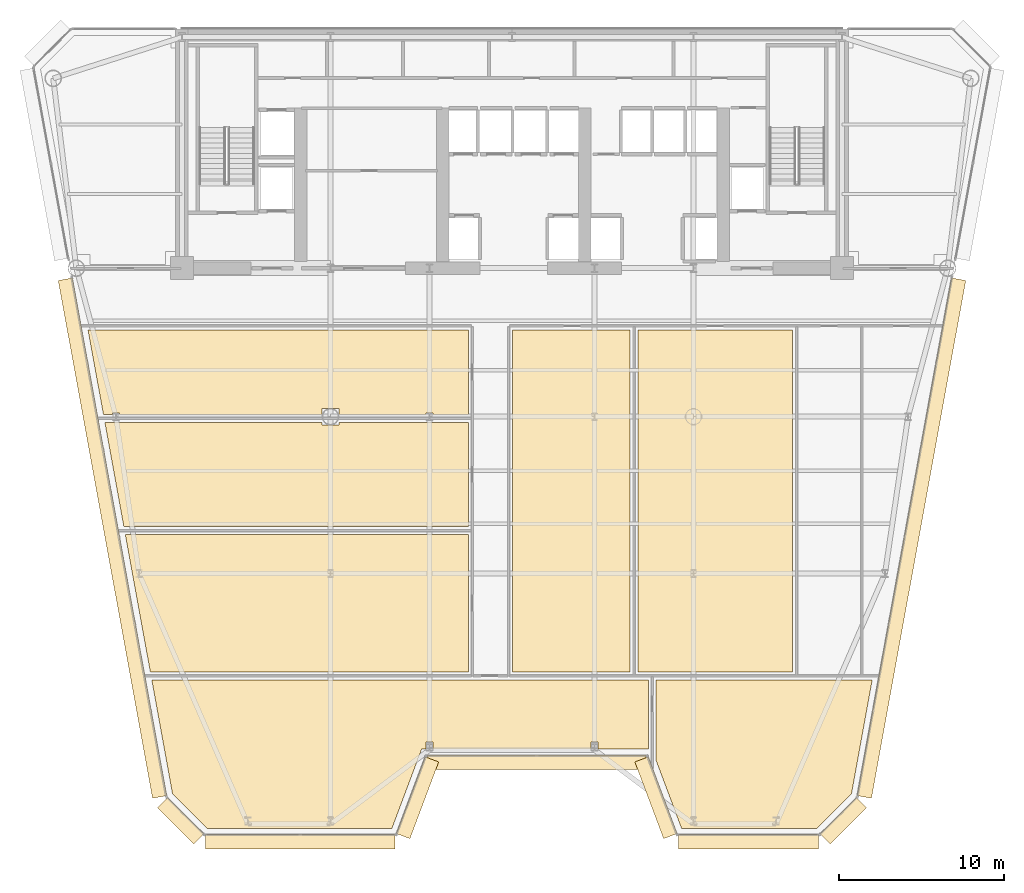
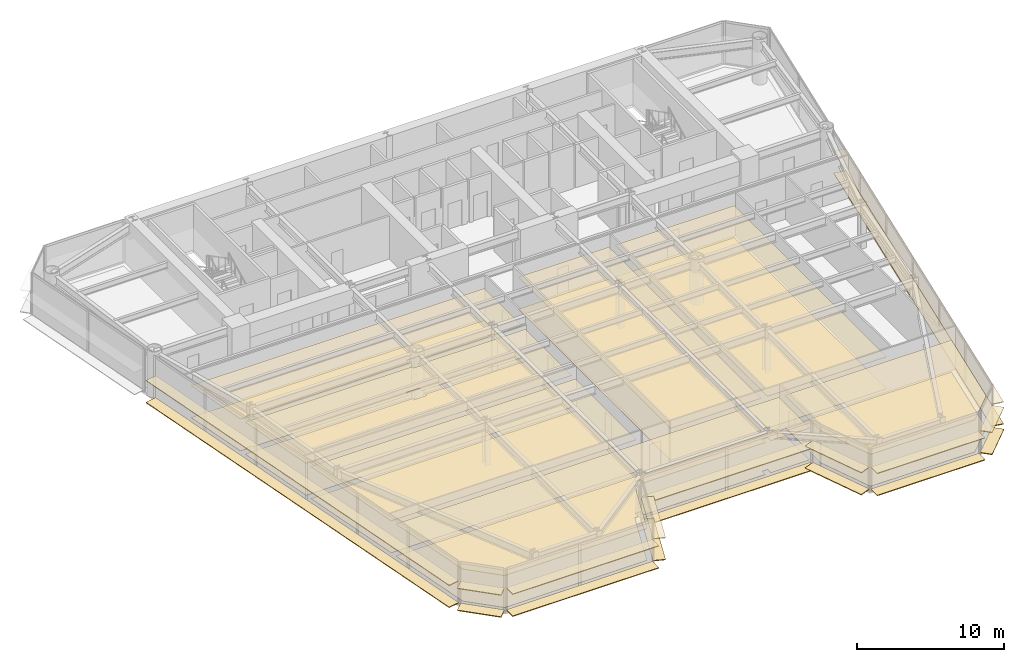
# One storey, part 11 of 14: 32 coverings.
"""IFC4 building model written with IfcOpenShell, lengths in metres."""

from ifc_helpers import new_model, si_unit, direction, frame, origin, origin_2d, place, context, subcontext, project, spatial, polyline, rectangle, outline, extrude, source, transform, mapped, material, layer, layer_set, type_object, element, save


model = new_model("IFC4")

# Units and contexts
model_context = context("Model", 3, precision=1e-05, world=origin(), true_north=direction((0.0, 1.0)))
body_context = subcontext(model_context, "Body", "Model", "MODEL_VIEW")
ifc_project = project(units=[si_unit("LENGTHUNIT", "METRE"), si_unit("AREAUNIT", "SQUARE_METRE"), si_unit("VOLUMEUNIT", "CUBIC_METRE"), si_unit("PLANEANGLEUNIT", "RADIAN"), si_unit("MASSUNIT", "GRAM", prefix="KILO")], contexts=[model_context])

# Site, building, storey
site_placement = place(None, origin())
site = spatial("IfcSite", under=ifc_project, at=site_placement, CompositionType="ELEMENT")
building_placement = place(site_placement, origin())
building = spatial("IfcBuilding", under=site, at=building_placement, Name="Vaeldorn Concourse Tower", CompositionType="ELEMENT")
storey_placement = place(building_placement, frame((0.0, 0.0, 111.0)))
storey = spatial("IfcBuildingStorey", under=building, at=storey_placement, Name="L28", CompositionType="ELEMENT", Elevation=111.0)

# Coverings
ifc_material_1 = material(Name="Acoustic Mineral Fibre Board", Category="gypsum")
ifc_layer_1 = layer(ifc_material_1, 0.0400390625)
ifc_layer_set_1 = layer_set([ifc_layer_1], Name="Acoustic Mineral Fibre Board")
covering_type_1 = type_object("IfcCoveringType", Name="COV-CEIL-ACOUSTIC", PredefinedType="CEILING", material=ifc_layer_set_1)
covering_1_placement = place(storey_placement, frame((0.0, 0.0, 2.64990234375)))
element("IfcCovering", 1, at=covering_1_placement, inside=storey, type_object=covering_type_1, Name="Suspended Acoustic Ceiling L28-6", PredefinedType="CEILING", context=body_context, shape_type="SweptSolid", body=[
    extrude(outline(polyline([(42.260009765625, 11.56005859375), (42.260009765625, 7.351806640625), (39.2119140625, 7.351806640625), (39.2119140625, 7.788818359375), (38.7880859375, 7.788818359375), (38.7880859375, 7.351806640625), (29.2119140625, 7.351806640625), (29.2119140625, 7.788818359375), (28.7880859375, 7.788818359375), (28.7880859375, 7.351806640625), (28.522705078125, 7.351806640625), (26.722900390625, 2.5517578125), (15.525634765625, 2.5517578125), (13.43115234375, 4.646240234375), (12.171630859375, 11.56005859375), (42.260009765625, 11.56005859375)])), origin(), (0.0, 0.0, 1.0), 0.0400390625),
])
covering_2_placement = place(storey_placement, frame((0.0, 0.0, 2.64990234375)))
element("IfcCovering", 2, at=covering_2_placement, inside=storey, type_object=covering_type_1, Name="Suspended Acoustic Ceiling L28-7", PredefinedType="CEILING", context=body_context, shape_type="SweptSolid", body=[
    extrude(outline(polyline([(52.474365234375, 2.5517578125), (44.277099609375, 2.5517578125), (42.739990234375, 6.65087890625), (42.739990234375, 11.56005859375), (55.828369140625, 11.56005859375), (54.56884765625, 4.646240234375), (52.474365234375, 2.5517578125)])), origin(), (0.0, 0.0, 1.0), 0.0400390625),
])
covering_3_placement = place(storey_placement, frame((0.0, 0.0, 2.64990234375)))
element("IfcCovering", 3, at=covering_3_placement, inside=storey, type_object=covering_type_1, Name="Suspended Acoustic Ceiling L28-8", PredefinedType="CEILING", context=body_context, shape_type="SweptSolid", body=[
    extrude(outline(polyline([(31.360107421875, 20.360107421875), (31.360107421875, 12.0400390625), (12.08447265625, 12.0400390625), (10.56884765625, 20.360107421875), (31.360107421875, 20.360107421875)])), origin(), (0.0, 0.0, 1.0), 0.0400390625),
])
covering_4_placement = place(storey_placement, frame((0.0, 0.0, 2.64990234375)))
element("IfcCovering", 4, at=covering_4_placement, inside=storey, type_object=covering_type_1, Name="Suspended Acoustic Ceiling L28-9", PredefinedType="CEILING", context=body_context, shape_type="SweptSolid", body=[
    extrude(outline(polyline([(22.491943359375, 27.159912109375), (22.491943359375, 26.991943359375), (23.508056640625, 26.991943359375), (23.508056640625, 27.159912109375), (31.360107421875, 27.159912109375), (31.360107421875, 20.840087890625), (10.4814453125, 20.840087890625), (9.330078125, 27.159912109375), (22.491943359375, 27.159912109375)])), origin(), (0.0, 0.0, 1.0), 0.0400390625),
])
covering_5_placement = place(storey_placement, frame((0.0, 0.0, 2.64990234375)))
element("IfcCovering", 5, at=covering_5_placement, inside=storey, type_object=covering_type_1, Name="Suspended Acoustic Ceiling L28-10", PredefinedType="CEILING", context=body_context, shape_type="SweptSolid", body=[
    extrude(outline(polyline([(31.360107421875, 32.760009765625), (31.360107421875, 27.639892578125), (29.2119140625, 27.639892578125), (29.2119140625, 27.737060546875), (28.7880859375, 27.737060546875), (28.7880859375, 27.639892578125), (23.508056640625, 27.639892578125), (23.508056640625, 28.008056640625), (22.491943359375, 28.008056640625), (22.491943359375, 27.639892578125), (10.2119140625, 27.639892578125), (10.2119140625, 27.737060546875), (9.7880859375, 27.737060546875), (9.7880859375, 27.639892578125), (9.242919921875, 27.639892578125), (8.31005859375, 32.760009765625), (31.360107421875, 32.760009765625)])), origin(), (0.0, 0.0, 1.0), 0.0400390625),
])
covering_6_placement = place(storey_placement, frame((0.0, 0.0, 2.64990234375)))
element("IfcCovering", 6, at=covering_6_placement, inside=storey, type_object=covering_type_1, Name="Suspended Acoustic Ceiling L28-11", PredefinedType="CEILING", context=body_context, shape_type="SweptSolid", body=[
    extrude(outline(polyline([(34.0400390625, 32.760009765625), (41.159912109375, 32.760009765625), (41.159912109375, 12.0400390625), (34.0400390625, 12.0400390625), (34.0400390625, 32.760009765625)])), origin(), (0.0, 0.0, 1.0), 0.0400390625),
])
covering_7_placement = place(storey_placement, frame((0.0, 0.0, 2.64990234375)))
element("IfcCovering", 7, at=covering_7_placement, inside=storey, type_object=covering_type_1, Name="Suspended Acoustic Ceiling L28-12", PredefinedType="CEILING", context=body_context, shape_type="SweptSolid", body=[
    extrude(outline(polyline([(41.639892578125, 32.760009765625), (51.010009765625, 32.760009765625), (51.010009765625, 12.0400390625), (41.639892578125, 12.0400390625), (41.639892578125, 32.760009765625)])), origin(), (0.0, 0.0, 1.0), 0.0400390625),
])
ifc_material_2 = material(Name="Honed Limestone Terrazzo Flooring", Category="masonry")
ifc_layer_2 = layer(ifc_material_2, 0.0400390625)
ifc_layer_set_2 = layer_set([ifc_layer_2], Name="Honed Limestone Terrazzo Flooring")
covering_type_2 = type_object("IfcCoveringType", Name="COV-FLOOR-STONE", PredefinedType="FLOORING", material=ifc_layer_set_2)
covering_8_placement = place(storey_placement, origin())
element("IfcCovering", 8, at=covering_8_placement, inside=storey, type_object=covering_type_2, Name="Floor Finish Covering L28-6", PredefinedType="FLOORING", context=body_context, shape_type="SweptSolid", body=[
    extrude(outline(polyline([(42.260009765625, 11.56005859375), (42.260009765625, 7.351806640625), (39.2119140625, 7.351806640625), (39.2119140625, 7.788818359375), (38.7880859375, 7.788818359375), (38.7880859375, 7.351806640625), (29.2119140625, 7.351806640625), (29.2119140625, 7.788818359375), (28.7880859375, 7.788818359375), (28.7880859375, 7.351806640625), (28.522705078125, 7.351806640625), (26.722900390625, 2.5517578125), (15.525634765625, 2.5517578125), (13.43115234375, 4.646240234375), (12.171630859375, 11.56005859375), (42.260009765625, 11.56005859375)])), origin(), (0.0, 0.0, 1.0), 0.030029296875),
])
covering_9_placement = place(storey_placement, origin())
element("IfcCovering", 9, at=covering_9_placement, inside=storey, type_object=covering_type_2, Name="Floor Finish Covering L28-7", PredefinedType="FLOORING", context=body_context, shape_type="SweptSolid", body=[
    extrude(outline(polyline([(52.474365234375, 2.5517578125), (44.277099609375, 2.5517578125), (42.739990234375, 6.65087890625), (42.739990234375, 11.56005859375), (55.828369140625, 11.56005859375), (54.56884765625, 4.646240234375), (52.474365234375, 2.5517578125)])), origin(), (0.0, 0.0, 1.0), 0.030029296875),
])
covering_10_placement = place(storey_placement, origin())
element("IfcCovering", 10, at=covering_10_placement, inside=storey, type_object=covering_type_2, Name="Floor Finish Covering L28-8", PredefinedType="FLOORING", context=body_context, shape_type="SweptSolid", body=[
    extrude(outline(polyline([(31.360107421875, 20.360107421875), (31.360107421875, 12.0400390625), (12.08447265625, 12.0400390625), (10.56884765625, 20.360107421875), (31.360107421875, 20.360107421875)])), origin(), (0.0, 0.0, 1.0), 0.030029296875),
])
covering_11_placement = place(storey_placement, origin())
element("IfcCovering", 11, at=covering_11_placement, inside=storey, type_object=covering_type_2, Name="Floor Finish Covering L28-9", PredefinedType="FLOORING", context=body_context, shape_type="SweptSolid", body=[
    extrude(outline(polyline([(22.491943359375, 27.159912109375), (22.491943359375, 26.991943359375), (23.508056640625, 26.991943359375), (23.508056640625, 27.159912109375), (31.360107421875, 27.159912109375), (31.360107421875, 20.840087890625), (10.4814453125, 20.840087890625), (9.330078125, 27.159912109375), (22.491943359375, 27.159912109375)])), origin(), (0.0, 0.0, 1.0), 0.030029296875),
])
covering_12_placement = place(storey_placement, origin())
element("IfcCovering", 12, at=covering_12_placement, inside=storey, type_object=covering_type_2, Name="Floor Finish Covering L28-10", PredefinedType="FLOORING", context=body_context, shape_type="SweptSolid", body=[
    extrude(outline(polyline([(31.360107421875, 32.760009765625), (31.360107421875, 27.639892578125), (29.2119140625, 27.639892578125), (29.2119140625, 27.737060546875), (28.7880859375, 27.737060546875), (28.7880859375, 27.639892578125), (23.508056640625, 27.639892578125), (23.508056640625, 28.008056640625), (22.491943359375, 28.008056640625), (22.491943359375, 27.639892578125), (10.2119140625, 27.639892578125), (10.2119140625, 27.737060546875), (9.7880859375, 27.737060546875), (9.7880859375, 27.639892578125), (9.242919921875, 27.639892578125), (8.31005859375, 32.760009765625), (31.360107421875, 32.760009765625)])), origin(), (0.0, 0.0, 1.0), 0.030029296875),
])
covering_13_placement = place(storey_placement, origin())
element("IfcCovering", 13, at=covering_13_placement, inside=storey, type_object=covering_type_2, Name="Floor Finish Covering L28-11", PredefinedType="FLOORING", context=body_context, shape_type="SweptSolid", body=[
    extrude(outline(polyline([(34.0400390625, 32.760009765625), (41.159912109375, 32.760009765625), (41.159912109375, 12.0400390625), (34.0400390625, 12.0400390625), (34.0400390625, 32.760009765625)])), origin(), (0.0, 0.0, 1.0), 0.030029296875),
])
covering_14_placement = place(storey_placement, origin())
element("IfcCovering", 14, at=covering_14_placement, inside=storey, type_object=covering_type_2, Name="Floor Finish Covering L28-12", PredefinedType="FLOORING", context=body_context, shape_type="SweptSolid", body=[
    extrude(outline(polyline([(41.639892578125, 32.760009765625), (51.010009765625, 32.760009765625), (51.010009765625, 12.0400390625), (41.639892578125, 12.0400390625), (41.639892578125, 32.760009765625)])), origin(), (0.0, 0.0, 1.0), 0.030029296875),
])
ifc_material_3 = material(Name="Anodised Bronze Aluminium", Category="aluminium")
ifc_layer_3 = layer(ifc_material_3, 0.06494140625)
ifc_layer_set_3 = layer_set([ifc_layer_3], Name="Anodised Bronze Aluminium")
covering_type_3 = type_object("IfcCoveringType", Name="SD-BRONZE-SUNSHADE", PredefinedType="USERDEFINED", material=ifc_layer_set_3)
shared_shape_1 = source(origin(), body_context, "Body", "SweptSolid", [
    extrude(rectangle(XDim=4.96630859375, YDim=0.8798828125, at=origin_2d()), origin(), (0.0, 0.0, 1.0), 0.06494140625),
])
for number, where, z_axis, x_axis, name in (
    (15, (28.2744140625, 4.411376953125, 0.047607421875), (0.0, 0.0, 1.0), (0.351122702609, 0.936329454686, 0.0), "Horizontal Bronze Sunshade L28-E02.1.1"),
    (16, (28.2744140625, 4.411376953125, 1.867431640625), (0.0, 0.0, 1.0), (0.351122702609, 0.936329454686, 0.0), "Horizontal Bronze Sunshade L28-E02.1.2"),
    (17, (42.7255859375, 4.411376953125, 0.047607421875), (0.0, 0.0, 1.0), (0.351122702609, -0.936329454686, 0.0), "Horizontal Bronze Sunshade L28-E04.1.1"),
    (18, (42.7255859375, 4.411376953125, 1.867431640625), (0.0, 0.0, 1.0), (0.351122702609, -0.936329454686, 0.0), "Horizontal Bronze Sunshade L28-E04.1.2"),
):
    element("IfcCovering", number, at=place(storey_placement, frame(where, z_axis=z_axis, x_axis=x_axis)), inside=storey, type_object=covering_type_3, Name=name, ObjectType="SUNSHADE", PredefinedType="USERDEFINED", context=body_context, shape_type="MappedRepresentation", body=[
        mapped(shared_shape_1, transform((0.0, 0.0, 0.0), scale=1.0)),
    ])
shared_shape_2 = source(origin(), body_context, "Body", "SweptSolid", [
    extrude(rectangle(XDim=13.239990234375, YDim=0.8798828125, at=origin_2d()), origin(), (0.0, 0.0, 1.0), 0.06494140625),
])
for number, where, z_axis, x_axis, name in (
    (19, (35.5, 6.5517578125, 0.047607421875), (0.0, 0.0, 1.0), (1.0, 0.0, 0.0), "Horizontal Bronze Sunshade L28-E03.1.1"),
    (20, (35.5, 6.5517578125, 1.867431640625), (0.0, 0.0, 1.0), (1.0, 0.0, 0.0), "Horizontal Bronze Sunshade L28-E03.1.2"),
):
    element("IfcCovering", number, at=place(storey_placement, frame(where, z_axis=z_axis, x_axis=x_axis)), inside=storey, type_object=covering_type_3, Name=name, ObjectType="SUNSHADE", PredefinedType="USERDEFINED", context=body_context, shape_type="MappedRepresentation", body=[
        mapped(shared_shape_2, transform((0.0, 0.0, 0.0), scale=1.0)),
    ])
shared_shape_3 = source(origin(), body_context, "Body", "SweptSolid", [
    extrude(rectangle(XDim=3.0927734375, YDim=0.8798828125, at=origin_2d()), origin(), (0.0, 0.0, 1.0), 0.06494140625),
])
for number, where, z_axis, x_axis, name in (
    (21, (54.07275390625, 3.018798828125, 0.047607421875), (0.0, 0.0, 1.0), (0.707106781187, 0.707106781187, 0.0), "Horizontal Bronze Sunshade L28-E06.1.1"),
    (22, (54.07275390625, 3.018798828125, 1.867431640625), (0.0, 0.0, 1.0), (0.707106781187, 0.707106781187, 0.0), "Horizontal Bronze Sunshade L28-E06.1.2"),
    (23, (13.92724609375, 3.018798828125, 0.047607421875), (0.0, 0.0, 1.0), (0.707106781187, -0.707106781187, 0.0), "Horizontal Bronze Sunshade L28-E12.1.1"),
    (24, (13.92724609375, 3.018798828125, 1.867431640625), (0.0, 0.0, 1.0), (0.707106781187, -0.707106781187, 0.0), "Horizontal Bronze Sunshade L28-E12.1.2"),
):
    element("IfcCovering", number, at=place(storey_placement, frame(where, z_axis=z_axis, x_axis=x_axis)), inside=storey, type_object=covering_type_3, Name=name, ObjectType="SUNSHADE", PredefinedType="USERDEFINED", context=body_context, shape_type="MappedRepresentation", body=[
        mapped(shared_shape_3, transform((0.0, 0.0, 0.0), scale=1.0)),
    ])
shared_shape_4 = source(origin(), body_context, "Body", "SweptSolid", [
    extrude(rectangle(XDim=11.47998046875, YDim=0.8798828125, at=origin_2d()), origin(), (0.0, 0.0, 1.0), 0.06494140625),
])
for number, where, z_axis, x_axis, name in (
    (25, (21.179931640625, 1.751708984375, 0.047607421875), (0.0, 0.0, 1.0), (1.0, 0.0, 0.0), "Horizontal Bronze Sunshade L28-E01.1.1"),
    (26, (21.179931640625, 1.751708984375, 1.867431640625), (0.0, 0.0, 1.0), (1.0, 0.0, 0.0), "Horizontal Bronze Sunshade L28-E01.1.2"),
):
    element("IfcCovering", number, at=place(storey_placement, frame(where, z_axis=z_axis, x_axis=x_axis)), inside=storey, type_object=covering_type_3, Name=name, ObjectType="SUNSHADE", PredefinedType="USERDEFINED", context=body_context, shape_type="MappedRepresentation", body=[
        mapped(shared_shape_4, transform((0.0, 0.0, 0.0), scale=1.0)),
    ])
shared_shape_5 = source(origin(), body_context, "Body", "SweptSolid", [
    extrude(rectangle(XDim=8.47998046875, YDim=0.8798828125, at=origin_2d()), origin(), (0.0, 0.0, 1.0), 0.06494140625),
])
for number, where, z_axis, x_axis, name in (
    (27, (48.320068359375, 1.751708984375, 0.047607421875), (0.0, 0.0, 1.0), (1.0, 0.0, 0.0), "Horizontal Bronze Sunshade L28-E05.1.1"),
    (28, (48.320068359375, 1.751708984375, 1.867431640625), (0.0, 0.0, 1.0), (1.0, 0.0, 0.0), "Horizontal Bronze Sunshade L28-E05.1.2"),
):
    element("IfcCovering", number, at=place(storey_placement, frame(where, z_axis=z_axis, x_axis=x_axis)), inside=storey, type_object=covering_type_3, Name=name, ObjectType="SUNSHADE", PredefinedType="USERDEFINED", context=body_context, shape_type="MappedRepresentation", body=[
        mapped(shared_shape_5, transform((0.0, 0.0, 0.0), scale=1.0)),
    ])
shared_shape_6 = source(origin(), body_context, "Body", "SweptSolid", [
    extrude(rectangle(XDim=31.88916015625, YDim=0.8798828125, at=origin_2d()), origin(), (0.0, 0.0, 1.0), 0.06494140625),
])
for number, where, z_axis, x_axis, name in (
    (29, (58.205078125, 20.145263671875, 0.047607421875), (0.0, 0.0, 1.0), (0.179214328219, 0.983810055123, 0.0), "Horizontal Bronze Sunshade L28-E07.1.1"),
    (30, (58.205078125, 20.145263671875, 1.867431640625), (0.0, 0.0, 1.0), (0.179214328219, 0.983810055123, 0.0), "Horizontal Bronze Sunshade L28-E07.1.2"),
    (31, (9.794921875, 20.145263671875, 0.047607421875), (0.0, 0.0, 1.0), (0.179214328219, -0.983810055123, 0.0), "Horizontal Bronze Sunshade L28-E11.2.1"),
    (32, (9.794921875, 20.145263671875, 1.867431640625), (0.0, 0.0, 1.0), (0.179214328219, -0.983810055123, 0.0), "Horizontal Bronze Sunshade L28-E11.2.2"),
):
    element("IfcCovering", number, at=place(storey_placement, frame(where, z_axis=z_axis, x_axis=x_axis)), inside=storey, type_object=covering_type_3, Name=name, ObjectType="SUNSHADE", PredefinedType="USERDEFINED", context=body_context, shape_type="MappedRepresentation", body=[
        mapped(shared_shape_6, transform((0.0, 0.0, 0.0), scale=1.0)),
    ])

save(model, "model.ifc")
